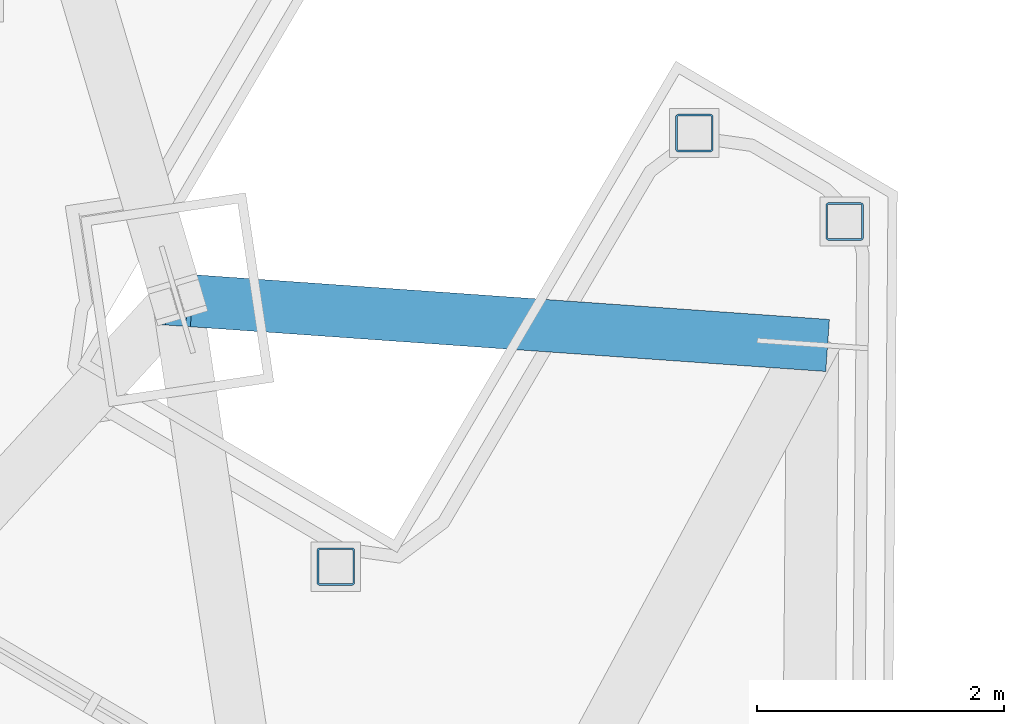
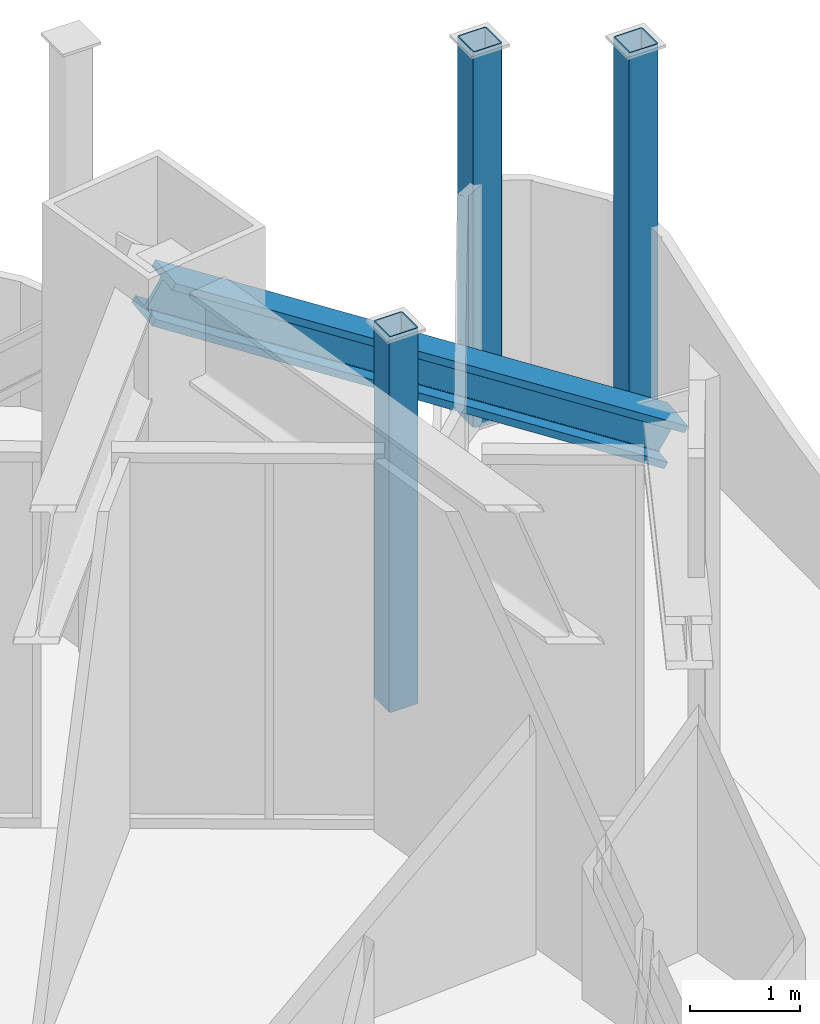
# One storey, part 7 of 27: 4 members.
"""IFC4 building model written with IfcOpenShell, lengths in metres."""

from ifc_helpers import new_model, si_unit, direction, frame, origin, origin_2d, place, context, subcontext, project, spatial, hollow_rectangle, i_section, extrude, material, material_profile, profile_set, type_object, element, save


model = new_model("IFC4")

# Units and contexts
model_context = context("Model", 3, precision=1e-05, world=origin(), true_north=direction((0.0, 1.0)))
body_context = subcontext(model_context, "Body", "Model", "MODEL_VIEW")
ifc_project = project(units=[si_unit("LENGTHUNIT", "METRE"), si_unit("AREAUNIT", "SQUARE_METRE"), si_unit("VOLUMEUNIT", "CUBIC_METRE"), si_unit("PLANEANGLEUNIT", "RADIAN"), si_unit("MASSUNIT", "GRAM", prefix="KILO")], contexts=[model_context])

# Site, building, storey
site_placement = place(None, origin())
site = spatial("IfcSite", under=ifc_project, at=site_placement, CompositionType="ELEMENT")
building_placement = place(site_placement, origin())
building = spatial("IfcBuilding", under=site, at=building_placement, Name="Trine Commons Tower", CompositionType="ELEMENT")
storey_placement = place(building_placement, frame((0.0, 0.0, 193.5)))
storey = spatial("IfcBuildingStorey", under=building, at=storey_placement, Name="L50", CompositionType="ELEMENT", Elevation=193.5)

# Members
ifc_material_1 = material(Name="Structural steel ASTM A992 Gr50", Category="steel")
ifc_material_profile_1 = material_profile(ifc_material_1, i_section(OverallWidth=0.42236328125, OverallDepth=0.46337890625, WebThickness=0.044921875, FlangeThickness=0.072509765625, FilletRadius=0.014892578125, at=origin_2d()), Name="W14X398")
ifc_profile_set_1 = profile_set([ifc_material_profile_1], Name="Structural steel ASTM A992 Gr50")
member_type_1 = type_object("IfcMemberType", Name="Steel brace W14X398, ASTM A992 Gr50", PredefinedType="BRACE", material=ifc_profile_set_1)
member_placement = place(storey_placement, frame((99.1611328125, 88.045654296875, 0.474609375), z_axis=(-0.850574412747, 0.059881988164, 0.522434030164), x_axis=(-0.070227997237, -0.997530966138, 0.0)))
element("IfcMember", 1, at=member_placement, inside=storey, type_object=member_type_1, Name="Transfer truss brace T5-DG-30", PredefinedType="BRACE", context=body_context, shape_type="SweptSolid", body=[
    extrude(i_section(OverallWidth=0.42236328125, OverallDepth=0.46337890625, WebThickness=0.044921875, FlangeThickness=0.072509765625, FilletRadius=0.014892578125, at=origin_2d()), origin(), (0.0, 0.0, 1.0), 6.05029296875),
])
ifc_material_2 = material(Name="Structural steel ASTM A500 Gr C", Category="steel")
ifc_material_profile_2 = material_profile(ifc_material_2, hollow_rectangle(XDim=0.3046875, YDim=0.3046875, WallThickness=0.014892578125, InnerFilletRadius=0.00732421875, OuterFilletRadius=0.022216796875, at=origin_2d()), Name="HSS12X12X5/8")
ifc_profile_set_2 = profile_set([ifc_material_profile_2], Name="Structural steel ASTM A500 Gr C")
member_type_2 = type_object("IfcMemberType", Name="Steel post HSS12X12X5/8, ASTM A500 Gr C", PredefinedType="POST", material=ifc_profile_set_2)
for number, where, z_axis, x_axis, name in (
    (2, (98.203125, 89.7578125, 0.0), (0.0, 0.0, 1.0), (1.0, 0.0, 0.0), "Roof post SP5-62"),
    (3, (95.298583984375, 86.24609375, 0.0), (0.0, 0.0, 1.0), (1.0, 0.0, 0.0), "Roof post SP5-63"),
    (4, (99.419921875, 89.041259765625, 0.0), (0.0, 0.0, 1.0), (1.0, 0.0, 0.0), "Roof post SP5-64"),
):
    element("IfcMember", number, at=place(storey_placement, frame(where, z_axis=z_axis, x_axis=x_axis)), inside=storey, type_object=member_type_2, Name=name, PredefinedType="POST", context=body_context, shape_type="SweptSolid", body=[
        extrude(hollow_rectangle(XDim=0.3046875, YDim=0.3046875, WallThickness=0.014892578125, InnerFilletRadius=0.00732421875, OuterFilletRadius=0.022216796875, at=origin_2d()), origin(), (0.0, 0.0, 1.0), 4.14990234375),
    ])

save(model, "model.ifc")
